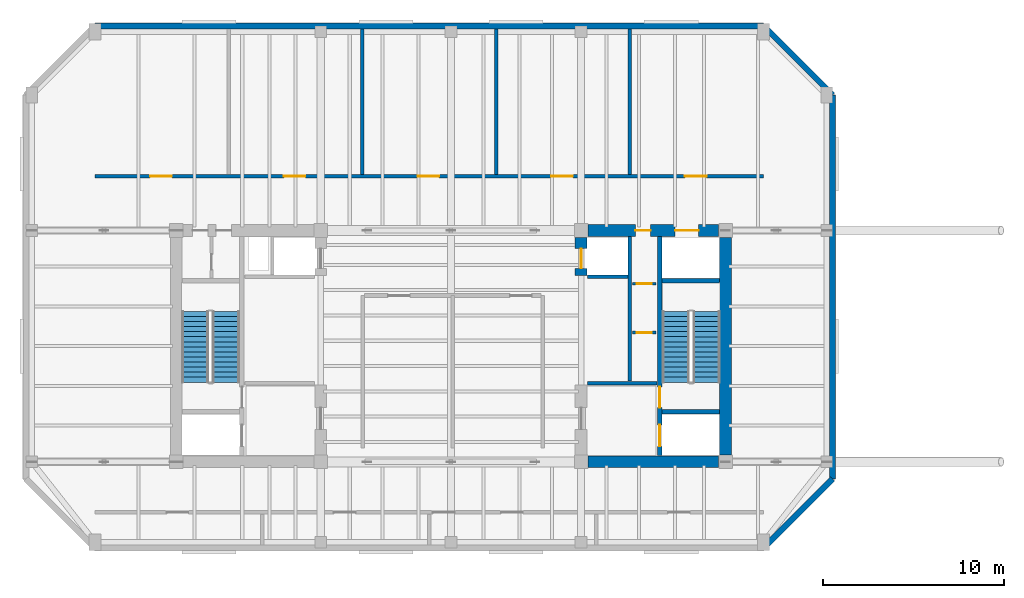
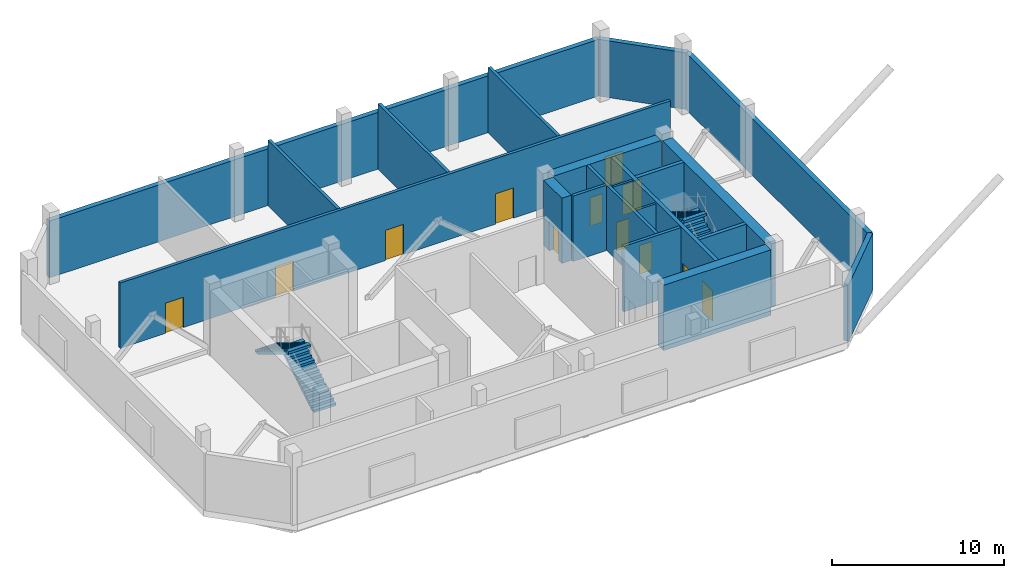
# One storey, part 6 of 9: 20 walls, 12 doors, 4 stair flights, 12 openings, 2 elements without a shape of their own.
"""IFC4 building model written with IfcOpenShell, lengths in metres."""

from ifc_helpers import new_model, si_unit, direction, frame, frame_2d, origin, place, context, subcontext, project, spatial, polyline, rectangle, outline, extrude, material, layer, layer_set, type_object, element, fill, aggregate, save


model = new_model("IFC4")

# Units and contexts
model_context = context("Model", 3, precision=1e-05, world=origin(), true_north=direction((0.0, 1.0)))
body_context = subcontext(model_context, "Body", "Model", "MODEL_VIEW")
ifc_project = project(units=[si_unit("LENGTHUNIT", "METRE"), si_unit("AREAUNIT", "SQUARE_METRE"), si_unit("VOLUMEUNIT", "CUBIC_METRE"), si_unit("PLANEANGLEUNIT", "RADIAN"), si_unit("MASSUNIT", "GRAM", prefix="KILO")], contexts=[model_context])

# Site, building, storey
site_placement = place(None, origin())
site = spatial("IfcSite", under=ifc_project, at=site_placement, CompositionType="ELEMENT")
building_placement = place(site_placement, origin())
building = spatial("IfcBuilding", under=site, at=building_placement, Name="Kranthara Brick Stack", CompositionType="ELEMENT")
storey_placement = place(building_placement, frame((0.0, 0.0, 282.300048828125)))
storey = spatial("IfcBuildingStorey", under=building, at=storey_placement, Name="L75", CompositionType="ELEMENT", Elevation=282.300048828125)

# Walls
ifc_material_1 = material(Name="Warm buff clay brick masonry M15", Category="masonry")
ifc_layer_1 = layer(ifc_material_1, 0.320068359375)
ifc_layer_set_1 = layer_set([ifc_layer_1], Name="Warm buff clay brick masonry M15")
wall_type_1 = type_object("IfcWallType", Name="WL-BRK-UPPR-320", PredefinedType="STANDARD", material=ifc_layer_set_1)
wall_1_placement = place(storey_placement, frame((8.300048828125, 44.919921875, 0.0), z_axis=(0.0, 0.0, 1.0), x_axis=(1.0, 0.0, 0.0)))
element("IfcWall", 1, at=wall_1_placement, inside=storey, type_object=wall_type_1, Name="L75 Exterior Brick Facade Wall NORTH 1", PredefinedType="STANDARD", context=body_context, shape_type="SweptSolid", body=[
    extrude(rectangle(XDim=37.0, YDim=0.320068359375, at=frame_2d((18.5, 0.0))), origin(), (0.0, 0.0, 1.0), 4.034912109375),
])
wall_2_placement = place(storey_placement, frame((45.300048828125, 44.919921875, 0.0), z_axis=(0.0, 0.0, 1.0), x_axis=(0.70712937715, -0.707084184501, 0.0)))
element("IfcWall", 2, at=wall_2_placement, inside=storey, type_object=wall_type_1, Name="L75 Exterior Brick Facade Wall NE 1", PredefinedType="STANDARD", context=body_context, shape_type="SweptSolid", body=[
    extrude(rectangle(XDim=5.402099609375, YDim=0.320068359375, at=frame_2d((2.701171875, 0.0))), origin(), (0.0, 0.0, 1.0), 4.034912109375),
])
wall_3_placement = place(storey_placement, frame((49.1201171875, 41.10009765625, 0.0), z_axis=(0.0, 0.0, 1.0), x_axis=(0.0, -1.0, 0.0)))
element("IfcWall", 3, at=wall_3_placement, inside=storey, type_object=wall_type_1, Name="L75 Exterior Brick Facade Wall EAST 1", PredefinedType="STANDARD", context=body_context, shape_type="SweptSolid", body=[
    extrude(rectangle(XDim=21.25, YDim=0.320068359375, at=frame_2d((10.625, 0.0))), origin(), (0.0, 0.0, 1.0), 4.034912109375),
])
wall_4_placement = place(storey_placement, frame((49.1201171875, 19.85009765625, 0.0), z_axis=(0.0, 0.0, 1.0), x_axis=(-0.707106781187, -0.707106781187, 0.0)))
element("IfcWall", 4, at=wall_4_placement, inside=storey, type_object=wall_type_1, Name="L75 Exterior Brick Facade Wall SE 1", PredefinedType="STANDARD", context=body_context, shape_type="SweptSolid", body=[
    extrude(rectangle(XDim=5.40234375, YDim=0.320068359375, at=frame_2d((2.701171875, 0.0))), origin(), (0.0, 0.0, 1.0), 4.034912109375),
])

# Wall, openings, doors
ifc_material_2 = material(Name="Concrete C50/60", Category="concrete")
ifc_layer_2 = layer(ifc_material_2, 0.25)
ifc_layer_set_2 = layer_set([ifc_layer_2], Name="Concrete C50/60")
wall_type_2 = type_object("IfcWallType", Name="WL-CORE-250", PredefinedType="SHEAR", material=ifc_layer_set_2)
wall_5_placement = place(storey_placement, frame((39.56494140625, 21.135009765625, 0.0), z_axis=(0.0, 0.0, 1.0), x_axis=(0.0, 1.0, 0.0)))
wall_5 = element("IfcWall", 5, at=wall_5_placement, inside=storey, type_object=wall_type_2, Name="L75 East Core Stair Bearing Spine Wall", PredefinedType="SHEAR", context=body_context, shape_type="SweptSolid", body=[
    extrude(rectangle(XDim=12.1298828125, YDim=0.25, at=frame_2d((6.06494140625, 0.0))), origin(), (0.0, 0.0, 1.0), 4.64990234375),
])
opening_1_placement = place(wall_5_placement, frame((0.514892578125, 0.0, 0.0)))
opening_1 = element("IfcOpeningElement", 6, at=opening_1_placement, cuts=wall_5, Name="Opening LD01", PredefinedType="OPENING", context=body_context, shape_type="SweptSolid", body=[
    extrude(rectangle(XDim=1.199951171875, YDim=2.14990234375, at=frame_2d((0.60009765625, 1.074951171875))), frame((0.0, 0.135009765625, 0.0), z_axis=(0.0, -1.0, 0.0), x_axis=(1.0, 0.0, 0.0)), (0.0, 0.0, 1.0), 0.27001953125),
])
opening_2_placement = place(wall_5_placement, frame((2.6650390625, 0.0, 0.0)))
opening_2 = element("IfcOpeningElement", 7, at=opening_2_placement, cuts=wall_5, Name="Opening D05", PredefinedType="OPENING", context=body_context, shape_type="SweptSolid", body=[
    extrude(rectangle(XDim=1.14990234375, YDim=2.14990234375, at=frame_2d((0.574951171875, 1.074951171875))), frame((0.0, 0.135009765625, 0.0), z_axis=(0.0, -1.0, 0.0), x_axis=(1.0, 0.0, 0.0)), (0.0, 0.0, 1.0), 0.27001953125),
])
ifc_material_3 = material(Name="Stainless steel sliding landing door", Category="steel")
door_type_1 = type_object("IfcDoorType", Name="DR-LD-FF1200", OperationType="DOUBLE_DOOR_SLIDING", PredefinedType="DOOR", material=ifc_material_3)
door_1_placement = place(opening_1_placement, origin())
door_1 = element("IfcDoor", 8, at=door_1_placement, inside=storey, type_object=door_type_1, Name="L75 Firefighting Lift FF-02 Landing Door", OperationType="DOUBLE_DOOR_SLIDING", OverallHeight=2.14990234375, OverallWidth=1.199951171875, PredefinedType="DOOR", context=body_context, shape_type="SweptSolid", body=[
    extrude(rectangle(XDim=1.199951171875, YDim=2.14990234375, at=frame_2d((0.60009765625, 1.074951171875))), frame((0.0, 0.02490234375, 0.0), z_axis=(0.0, -1.0, 0.0), x_axis=(1.0, 0.0, 0.0)), (0.0, 0.0, 1.0), 0.050048828125),
])
fill(opening_1, door_1)
ifc_material_4 = material(Name="Solid-core hardwood timber leaf in steel frame", Category="steel")
door_type_2 = type_object("IfcDoorType", Name="DR-ST-1150", OperationType="NOTDEFINED", PredefinedType="DOOR", material=ifc_material_4)
door_2_placement = place(opening_2_placement, origin())
door_2 = element("IfcDoor", 9, at=door_2_placement, inside=storey, type_object=door_type_2, Name="L75 Exit Stair ST02 Door", OperationType="SINGLE_SWING_LEFT", OverallHeight=2.14990234375, OverallWidth=1.14990234375, PredefinedType="DOOR", context=body_context, shape_type="SweptSolid", body=[
    extrude(rectangle(XDim=1.14990234375, YDim=2.14990234375, at=frame_2d((0.574951171875, 1.074951171875))), frame((0.0, 0.02490234375, 0.0), z_axis=(0.0, -1.0, 0.0), x_axis=(1.0, 0.0, 0.0)), (0.0, 0.0, 1.0), 0.050048828125),
])
fill(opening_2, door_2)

# Walls
for number, where, z_axis, x_axis, name in (
    (10, (39.68994140625, 23.570068359375, 0.0), (0.0, 0.0, 1.0), (1.0, 0.0, 0.0), "L75 East Stairwell Bearing Wall EFF"),
    (11, (39.68994140625, 30.830078125, 0.0), (0.0, 0.0, 1.0), (1.0, 0.0, 0.0), "L75 East Stairwell Bearing Wall EST"),
):
    element("IfcWall", number, at=place(storey_placement, frame(where, z_axis=z_axis, x_axis=x_axis)), inside=storey, type_object=wall_type_2, Name=name, PredefinedType="SHEAR", context=body_context, shape_type="SweptSolid", body=[
        extrude(rectangle(XDim=3.175048828125, YDim=0.25, at=frame_2d((1.58740234375, 0.0))), origin(), (0.0, 0.0, 1.0), 4.64990234375),
    ])
ifc_material_5 = material(Name="Concrete C60/75", Category="concrete")
ifc_layer_3 = layer(ifc_material_5, 0.64990234375)
ifc_layer_set_3 = layer_set([ifc_layer_3], Name="Concrete C60/75")
wall_type_3 = type_object("IfcWallType", Name="WL-CORE-650", PredefinedType="SHEAR", material=ifc_layer_set_3)
wall_6_placement = place(storey_placement, frame((43.199951171875, 21.179931640625, 0.0), z_axis=(0.0, 0.0, 1.0), x_axis=(0.0, 1.0, 0.0)))
element("IfcWall", 12, at=wall_6_placement, inside=storey, type_object=wall_type_3, Name="L75 East Core Shear Wall East", PredefinedType="SHEAR", context=body_context, shape_type="SweptSolid", body=[
    extrude(rectangle(XDim=12.0400390625, YDim=0.64990234375, at=frame_2d((6.02001953125, 0.0))), origin(), (0.0, 0.0, 1.0), 4.64990234375),
])
wall_7_placement = place(storey_placement, frame((35.580078125, 20.800048828125, 0.0), z_axis=(0.0, 0.0, 1.0), x_axis=(1.0, 0.0, 0.0)))
element("IfcWall", 13, at=wall_7_placement, inside=storey, type_object=wall_type_3, Name="L75 East Core Shear Wall South", PredefinedType="SHEAR", context=body_context, shape_type="SweptSolid", body=[
    extrude(rectangle(XDim=7.239990234375, YDim=0.64990234375, at=frame_2d((3.6201171875, 0.0))), origin(), (0.0, 0.0, 1.0), 4.64990234375),
])

# Wall, openings, doors
wall_8_placement = place(storey_placement, frame((35.580078125, 33.60009765625, 0.0), z_axis=(0.0, 0.0, 1.0), x_axis=(1.0, 0.0, 0.0)))
wall_8 = element("IfcWall", 14, at=wall_8_placement, inside=storey, type_object=wall_type_3, Name="L75 East Core Shear Wall North", PredefinedType="SHEAR", context=body_context, shape_type="SweptSolid", body=[
    extrude(rectangle(XDim=7.239990234375, YDim=0.64990234375, at=frame_2d((3.6201171875, 0.0))), origin(), (0.0, 0.0, 1.0), 4.64990234375),
])
opening_3_placement = place(wall_8_placement, frame((4.820068359375, 0.0, 0.0)))
opening_3 = element("IfcOpeningElement", 15, at=opening_3_placement, cuts=wall_8, Name="Opening LD03", PredefinedType="OPENING", context=body_context, shape_type="SweptSolid", body=[
    extrude(rectangle(XDim=1.300048828125, YDim=2.14990234375, at=frame_2d((0.64990234375, 1.074951171875))), frame((0.0, 0.3349609375, 0.0), z_axis=(0.0, -1.0, 0.0), x_axis=(1.0, 0.0, 0.0)), (0.0, 0.0, 1.0), 0.669921875),
])
opening_4_placement = place(wall_8_placement, frame((2.6201171875, 0.0, 0.0)))
opening_4 = element("IfcOpeningElement", 16, at=opening_4_placement, cuts=wall_8, Name="Opening D10", PredefinedType="OPENING", context=body_context, shape_type="SweptSolid", body=[
    extrude(rectangle(XDim=0.85009765625, YDim=2.02001953125, at=frame_2d((0.425048828125, 1.010009765625))), frame((0.0, 0.3349609375, 0.0), z_axis=(0.0, -1.0, 0.0), x_axis=(1.0, 0.0, 0.0)), (0.0, 0.0, 1.0), 0.669921875),
])
ifc_material_6 = material(Name="Stainless steel sliding landing door", Category="steel")
door_type_3 = type_object("IfcDoorType", Name="DR-LD-SV1300", OperationType="DOUBLE_DOOR_SLIDING", PredefinedType="DOOR", material=ifc_material_6)
door_3_placement = place(opening_3_placement, origin())
door_3 = element("IfcDoor", 17, at=door_3_placement, inside=storey, type_object=door_type_3, Name="L75 Stretcher Service Lift SV-01 Landing Door", OperationType="DOUBLE_DOOR_SLIDING", OverallHeight=2.14990234375, OverallWidth=1.300048828125, PredefinedType="DOOR", context=body_context, shape_type="SweptSolid", body=[
    extrude(rectangle(XDim=1.300048828125, YDim=2.14990234375, at=frame_2d((0.64990234375, 1.074951171875))), frame((0.0, 0.02490234375, 0.0), z_axis=(0.0, -1.0, 0.0), x_axis=(1.0, 0.0, 0.0)), (0.0, 0.0, 1.0), 0.050048828125),
])
fill(opening_3, door_3)
ifc_material_7 = material(Name="Solid-core hardwood timber leaf in steel frame", Category="steel")
door_type_4 = type_object("IfcDoorType", Name="DR-RSR-850", OperationType="NOTDEFINED", PredefinedType="DOOR", material=ifc_material_7)
door_4_placement = place(opening_4_placement, origin())
door_4 = element("IfcDoor", 18, at=door_4_placement, inside=storey, type_object=door_type_4, Name="L75 East Core Service Room Door", OperationType="SINGLE_SWING_LEFT", OverallHeight=2.02001953125, OverallWidth=0.85009765625, PredefinedType="DOOR", context=body_context, shape_type="SweptSolid", body=[
    extrude(rectangle(XDim=0.85009765625, YDim=2.02001953125, at=frame_2d((0.425048828125, 1.010009765625))), frame((0.0, 0.02490234375, 0.0), z_axis=(0.0, -1.0, 0.0), x_axis=(1.0, 0.0, 0.0)), (0.0, 0.0, 1.0), 0.050048828125),
])
fill(opening_4, door_4)

# Wall, opening, door
wall_9_placement = place(storey_placement, frame((35.199951171875, 31.10009765625, 0.0), z_axis=(0.0, 0.0, 1.0), x_axis=(0.0, 1.0, 0.0)))
wall_9 = element("IfcWall", 19, at=wall_9_placement, inside=storey, type_object=wall_type_3, Name="L75 East Core High-Rise Lift Wall", PredefinedType="SHEAR", context=body_context, shape_type="SweptSolid", body=[
    extrude(rectangle(XDim=2.119873046875, YDim=0.64990234375, at=frame_2d((1.06005859375, 0.0))), origin(), (0.0, 0.0, 1.0), 4.64990234375),
])
opening_5_placement = place(wall_9_placement, frame((0.39990234375, 0.0, 0.0)))
opening_5 = element("IfcOpeningElement", 20, at=opening_5_placement, cuts=wall_9, Name="Opening LD02", PredefinedType="OPENING", context=body_context, shape_type="SweptSolid", body=[
    extrude(rectangle(XDim=1.10009765625, YDim=2.10009765625, at=frame_2d((0.550048828125, 1.050048828125))), frame((0.0, 0.3349609375, 0.0), z_axis=(0.0, -1.0, 0.0), x_axis=(1.0, 0.0, 0.0)), (0.0, 0.0, 1.0), 0.669921875),
])
ifc_material_8 = material(Name="Stainless steel sliding landing door", Category="steel")
door_type_5 = type_object("IfcDoorType", Name="DR-LD-PL1100", OperationType="DOUBLE_DOOR_SLIDING", PredefinedType="DOOR", material=ifc_material_8)
door_5_placement = place(opening_5_placement, origin())
door_5 = element("IfcDoor", 21, at=door_5_placement, inside=storey, type_object=door_type_5, Name="L75 PL-08 Lift Landing Door", OperationType="DOUBLE_DOOR_SLIDING", OverallHeight=2.10009765625, OverallWidth=1.10009765625, PredefinedType="DOOR", context=body_context, shape_type="SweptSolid", body=[
    extrude(rectangle(XDim=1.10009765625, YDim=2.10009765625, at=frame_2d((0.550048828125, 1.050048828125))), frame((0.0, 0.02490234375, 0.0), z_axis=(0.0, -1.0, 0.0), x_axis=(1.0, 0.0, 0.0)), (0.0, 0.0, 1.0), 0.050048828125),
])
fill(opening_5, door_5)

ifc_material_9 = material(Name="Fire-rated gypsum board partition", Category="other")
ifc_layer_4 = layer(ifc_material_9, 0.14990234375)
ifc_layer_set_4 = layer_set([ifc_layer_4], Name="Fire-rated gypsum board partition")
wall_type_4 = type_object("IfcWallType", Name="WL-PART-150", PredefinedType="PARTITIONING", material=ifc_layer_set_4)
wall_10_placement = place(storey_placement, frame((38.050048828125, 27.949951171875, 0.0), z_axis=(0.0, 0.0, 1.0), x_axis=(1.0, 0.0, 0.0)))
wall_10 = element("IfcWall", 22, at=wall_10_placement, inside=storey, type_object=wall_type_4, Name="L75 Interior Partition 002", PredefinedType="PARTITIONING", context=body_context, shape_type="SweptSolid", body=[
    extrude(rectangle(XDim=1.300048828125, YDim=0.14990234375, at=frame_2d((0.64990234375, 0.0))), origin(), (0.0, 0.0, 1.0), 4.64990234375),
])
opening_6_placement = place(wall_10_placement, frame((0.219970703125, 0.0, 0.0)))
opening_6 = element("IfcOpeningElement", 23, at=opening_6_placement, cuts=wall_10, Name="Opening D10", PredefinedType="OPENING", context=body_context, shape_type="SweptSolid", body=[
    extrude(rectangle(XDim=0.85009765625, YDim=2.02001953125, at=frame_2d((0.425048828125, 1.010009765625))), frame((0.0, 0.0849609375, 0.0), z_axis=(0.0, -1.0, 0.0), x_axis=(1.0, 0.0, 0.0)), (0.0, 0.0, 1.0), 0.169921875),
])
door_6_placement = place(opening_6_placement, origin())
door_6 = element("IfcDoor", 24, at=door_6_placement, inside=storey, type_object=door_type_4, Name="L75 Riser Door 1 02", OperationType="SINGLE_SWING_RIGHT", OverallHeight=2.02001953125, OverallWidth=0.85009765625, PredefinedType="DOOR", context=body_context, shape_type="SweptSolid", body=[
    extrude(rectangle(XDim=0.85009765625, YDim=2.02001953125, at=frame_2d((0.425048828125, 1.010009765625))), frame((0.0, 0.02490234375, 0.0), z_axis=(0.0, -1.0, 0.0), x_axis=(1.0, 0.0, 0.0)), (0.0, 0.0, 1.0), 0.050048828125),
])
fill(opening_6, door_6)

wall_11_placement = place(storey_placement, frame((38.050048828125, 30.64990234375, 0.0), z_axis=(0.0, 0.0, 1.0), x_axis=(1.0, 0.0, 0.0)))
wall_11 = element("IfcWall", 25, at=wall_11_placement, inside=storey, type_object=wall_type_4, Name="L75 Interior Partition 003", PredefinedType="PARTITIONING", context=body_context, shape_type="SweptSolid", body=[
    extrude(rectangle(XDim=1.300048828125, YDim=0.14990234375, at=frame_2d((0.64990234375, 0.0))), origin(), (0.0, 0.0, 1.0), 4.64990234375),
])
opening_7_placement = place(wall_11_placement, frame((0.219970703125, 0.0, 0.0)))
opening_7 = element("IfcOpeningElement", 26, at=opening_7_placement, cuts=wall_11, Name="Opening D10", PredefinedType="OPENING", context=body_context, shape_type="SweptSolid", body=[
    extrude(rectangle(XDim=0.85009765625, YDim=2.02001953125, at=frame_2d((0.425048828125, 1.010009765625))), frame((0.0, 0.0849609375, 0.0), z_axis=(0.0, -1.0, 0.0), x_axis=(1.0, 0.0, 0.0)), (0.0, 0.0, 1.0), 0.169921875),
])
door_7_placement = place(opening_7_placement, origin())
door_7 = element("IfcDoor", 27, at=door_7_placement, inside=storey, type_object=door_type_4, Name="L75 Riser Door 2 03", OperationType="SINGLE_SWING_LEFT", OverallHeight=2.02001953125, OverallWidth=0.85009765625, PredefinedType="DOOR", context=body_context, shape_type="SweptSolid", body=[
    extrude(rectangle(XDim=0.85009765625, YDim=2.02001953125, at=frame_2d((0.425048828125, 1.010009765625))), frame((0.0, 0.02490234375, 0.0), z_axis=(0.0, -1.0, 0.0), x_axis=(1.0, 0.0, 0.0)), (0.0, 0.0, 1.0), 0.050048828125),
])
fill(opening_7, door_7)

# Walls
ifc_material_10 = material(Name="Concrete C40/50", Category="concrete")
ifc_layer_5 = layer(ifc_material_10, 0.199951171875)
ifc_layer_set_5 = layer_set([ifc_layer_5], Name="Concrete C40/50")
wall_type_5 = type_object("IfcWallType", Name="WL-PART-200", PredefinedType="SOLIDWALL", material=ifc_layer_set_5)
wall_12_placement = place(storey_placement, frame((35.550048828125, 25.14990234375, 0.0), z_axis=(0.0, 0.0, 1.0), x_axis=(1.0, 0.0, 0.0)))
element("IfcWall", 28, at=wall_12_placement, inside=storey, type_object=wall_type_5, Name="L75 East Core Cross Wall EFL", PredefinedType="SOLIDWALL", context=body_context, shape_type="SweptSolid", body=[
    extrude(rectangle(XDim=3.849853515625, YDim=0.199951171875, at=frame_2d((1.9248046875, 0.0))), origin(), (0.0, 0.0, 1.0), 4.64990234375),
])
wall_13_placement = place(storey_placement, frame((35.550048828125, 31.050048828125, 0.0), z_axis=(0.0, 0.0, 1.0), x_axis=(1.0, 0.0, 0.0)))
element("IfcWall", 29, at=wall_13_placement, inside=storey, type_object=wall_type_5, Name="L75 East Core Cross Wall EE4", PredefinedType="SOLIDWALL", context=body_context, shape_type="SweptSolid", body=[
    extrude(rectangle(XDim=2.25, YDim=0.199951171875, at=frame_2d((1.125, 0.0))), origin(), (0.0, 0.0, 1.0), 4.64990234375),
])
wall_14_placement = place(storey_placement, frame((37.89990234375, 25.27001953125, 0.0), z_axis=(0.0, 0.0, 1.0), x_axis=(0.0, 1.0, 0.0)))
element("IfcWall", 30, at=wall_14_placement, inside=storey, type_object=wall_type_5, Name="L75 East Core Cross Wall ESV", PredefinedType="SOLIDWALL", context=body_context, shape_type="SweptSolid", body=[
    extrude(rectangle(XDim=7.994873046875, YDim=0.199951171875, at=frame_2d((3.99755859375, 0.0))), origin(), (0.0, 0.0, 1.0), 4.64990234375),
])

# Wall, openings, doors
wall_15_placement = place(storey_placement, frame((8.300048828125, 36.60009765625, 0.0), z_axis=(0.0, 0.0, 1.0), x_axis=(1.0, 0.0, 0.0)))
wall_15 = element("IfcWall", 31, at=wall_15_placement, inside=storey, type_object=wall_type_5, Name="L75 Interior Partition 005", PredefinedType="SOLIDWALL", context=body_context, shape_type="SweptSolid", body=[
    extrude(rectangle(XDim=37.0, YDim=0.199951171875, at=frame_2d((18.5, 0.0))), origin(), (0.0, 0.0, 1.0), 4.64990234375),
])
opening_8_placement = place(wall_15_placement, frame((3.050048828125, 0.0, 0.0)))
opening_8 = element("IfcOpeningElement", 32, at=opening_8_placement, cuts=wall_15, Name="Opening D21", PredefinedType="OPENING", context=body_context, shape_type="SweptSolid", body=[
    extrude(rectangle(XDim=1.199951171875, YDim=2.14990234375, at=frame_2d((0.60009765625, 1.074951171875))), frame((0.0, 0.10986328125, 0.0), z_axis=(0.0, -1.0, 0.0), x_axis=(1.0, 0.0, 0.0)), (0.0, 0.0, 1.0), 0.219970703125),
])
opening_9_placement = place(wall_15_placement, frame((10.449951171875, 0.0, 0.0)))
opening_9 = element("IfcOpeningElement", 33, at=opening_9_placement, cuts=wall_15, Name="Opening D21", PredefinedType="OPENING", context=body_context, shape_type="SweptSolid", body=[
    extrude(rectangle(XDim=1.199951171875, YDim=2.14990234375, at=frame_2d((0.60009765625, 1.074951171875))), frame((0.0, 0.10986328125, 0.0), z_axis=(0.0, -1.0, 0.0), x_axis=(1.0, 0.0, 0.0)), (0.0, 0.0, 1.0), 0.219970703125),
])
opening_10_placement = place(wall_15_placement, frame((17.85009765625, 0.0, 0.0)))
opening_10 = element("IfcOpeningElement", 34, at=opening_10_placement, cuts=wall_15, Name="Opening D21", PredefinedType="OPENING", context=body_context, shape_type="SweptSolid", body=[
    extrude(rectangle(XDim=1.199951171875, YDim=2.14990234375, at=frame_2d((0.60009765625, 1.074951171875))), frame((0.0, 0.10986328125, 0.0), z_axis=(0.0, -1.0, 0.0), x_axis=(1.0, 0.0, 0.0)), (0.0, 0.0, 1.0), 0.219970703125),
])
opening_11_placement = place(wall_15_placement, frame((25.25, 0.0, 0.0)))
opening_11 = element("IfcOpeningElement", 35, at=opening_11_placement, cuts=wall_15, Name="Opening D21", PredefinedType="OPENING", context=body_context, shape_type="SweptSolid", body=[
    extrude(rectangle(XDim=1.199951171875, YDim=2.14990234375, at=frame_2d((0.60009765625, 1.074951171875))), frame((0.0, 0.10986328125, 0.0), z_axis=(0.0, -1.0, 0.0), x_axis=(1.0, 0.0, 0.0)), (0.0, 0.0, 1.0), 0.219970703125),
])
opening_12_placement = place(wall_15_placement, frame((32.64990234375, 0.0, 0.0)))
opening_12 = element("IfcOpeningElement", 36, at=opening_12_placement, cuts=wall_15, Name="Opening D21", PredefinedType="OPENING", context=body_context, shape_type="SweptSolid", body=[
    extrude(rectangle(XDim=1.199951171875, YDim=2.14990234375, at=frame_2d((0.60009765625, 1.074951171875))), frame((0.0, 0.10986328125, 0.0), z_axis=(0.0, -1.0, 0.0), x_axis=(1.0, 0.0, 0.0)), (0.0, 0.0, 1.0), 0.219970703125),
])
ifc_material_11 = material(Name="Solid-core hardwood timber leaf in steel frame", Category="steel")
door_type_6 = type_object("IfcDoorType", Name="DR-FD-1200", OperationType="NOTDEFINED", PredefinedType="DOOR", material=ifc_material_11)
door_8_placement = place(opening_8_placement, origin())
door_8 = element("IfcDoor", 37, at=door_8_placement, inside=storey, type_object=door_type_6, Name="L75 North Plant 4 10", OperationType="SINGLE_SWING_RIGHT", OverallHeight=2.14990234375, OverallWidth=1.199951171875, PredefinedType="DOOR", context=body_context, shape_type="SweptSolid", body=[
    extrude(rectangle(XDim=1.199951171875, YDim=2.14990234375, at=frame_2d((0.60009765625, 1.074951171875))), frame((0.0, 0.02490234375, 0.0), z_axis=(0.0, -1.0, 0.0), x_axis=(1.0, 0.0, 0.0)), (0.0, 0.0, 1.0), 0.050048828125),
])
fill(opening_8, door_8)
door_9_placement = place(opening_9_placement, origin())
door_9 = element("IfcDoor", 38, at=door_9_placement, inside=storey, type_object=door_type_6, Name="L75 North Plant 5 11", OperationType="SINGLE_SWING_LEFT", OverallHeight=2.14990234375, OverallWidth=1.199951171875, PredefinedType="DOOR", context=body_context, shape_type="SweptSolid", body=[
    extrude(rectangle(XDim=1.199951171875, YDim=2.14990234375, at=frame_2d((0.60009765625, 1.074951171875))), frame((0.0, 0.02490234375, 0.0), z_axis=(0.0, -1.0, 0.0), x_axis=(1.0, 0.0, 0.0)), (0.0, 0.0, 1.0), 0.050048828125),
])
fill(opening_9, door_9)
door_10_placement = place(opening_10_placement, origin())
door_10 = element("IfcDoor", 39, at=door_10_placement, inside=storey, type_object=door_type_6, Name="L75 North Plant 6 12", OperationType="SINGLE_SWING_RIGHT", OverallHeight=2.14990234375, OverallWidth=1.199951171875, PredefinedType="DOOR", context=body_context, shape_type="SweptSolid", body=[
    extrude(rectangle(XDim=1.199951171875, YDim=2.14990234375, at=frame_2d((0.60009765625, 1.074951171875))), frame((0.0, 0.02490234375, 0.0), z_axis=(0.0, -1.0, 0.0), x_axis=(1.0, 0.0, 0.0)), (0.0, 0.0, 1.0), 0.050048828125),
])
fill(opening_10, door_10)
door_11_placement = place(opening_11_placement, origin())
door_11 = element("IfcDoor", 40, at=door_11_placement, inside=storey, type_object=door_type_6, Name="L75 North Plant 7 13", OperationType="SINGLE_SWING_LEFT", OverallHeight=2.14990234375, OverallWidth=1.199951171875, PredefinedType="DOOR", context=body_context, shape_type="SweptSolid", body=[
    extrude(rectangle(XDim=1.199951171875, YDim=2.14990234375, at=frame_2d((0.60009765625, 1.074951171875))), frame((0.0, 0.02490234375, 0.0), z_axis=(0.0, -1.0, 0.0), x_axis=(1.0, 0.0, 0.0)), (0.0, 0.0, 1.0), 0.050048828125),
])
fill(opening_11, door_11)
door_12_placement = place(opening_12_placement, origin())
door_12 = element("IfcDoor", 41, at=door_12_placement, inside=storey, type_object=door_type_6, Name="L75 North Plant 8 14", OperationType="SINGLE_SWING_RIGHT", OverallHeight=2.14990234375, OverallWidth=1.199951171875, PredefinedType="DOOR", context=body_context, shape_type="SweptSolid", body=[
    extrude(rectangle(XDim=1.199951171875, YDim=2.14990234375, at=frame_2d((0.60009765625, 1.074951171875))), frame((0.0, 0.02490234375, 0.0), z_axis=(0.0, -1.0, 0.0), x_axis=(1.0, 0.0, 0.0)), (0.0, 0.0, 1.0), 0.050048828125),
])
fill(opening_12, door_12)

# Walls
for number, where, z_axis, x_axis, name in (
    (42, (23.10009765625, 36.705078125, 0.0), (0.0, 0.0, 1.0), (0.0, 1.0, 0.0), "L75 Interior Partition 014"),
    (43, (30.5, 36.705078125, 0.0), (0.0, 0.0, 1.0), (0.0, 1.0, 0.0), "L75 Interior Partition 015"),
    (44, (37.89990234375, 36.705078125, 0.0), (0.0, 0.0, 1.0), (0.0, 1.0, 0.0), "L75 Interior Partition 016"),
):
    element("IfcWall", number, at=place(storey_placement, frame(where, z_axis=z_axis, x_axis=x_axis)), inside=storey, type_object=wall_type_5, Name=name, PredefinedType="SOLIDWALL", context=body_context, shape_type="SweptSolid", body=[
        extrude(rectangle(XDim=8.0498046875, YDim=0.199951171875, at=frame_2d((4.02490234375, 0.0))), origin(), (0.0, 0.0, 1.0), 4.64990234375),
    ])

# Stair, stair flights
ifc_material_12 = material(Name="Concrete C45/55", Category="concrete")
stair_type = type_object("IfcStairType", Name="ST-CORE-30R", PredefinedType="HALF_TURN_STAIR", material=ifc_material_12)
stair_1_placement = place(storey_placement, origin())
stair_1 = element("IfcStair", 45, at=stair_1_placement, inside=storey, type_object=stair_type, Name="L75 West Core Protected Exit Stair ST01", PredefinedType="HALF_TURN_STAIR")
ifc_material_13 = material(Name="Concrete C45/55", Category="concrete")
stair_flight_type = type_object("IfcStairFlightType", Name="SFL-RC-30R", PredefinedType="STRAIGHT", material=ifc_material_13)
stair_flight_1_placement = place(storey_placement, frame((15.550048828125, 25.199951171875, 0.0), z_axis=(0.0, 0.0, 1.0), x_axis=(0.0, 1.0, 0.0)))
stair_flight_1 = element("IfcStairFlight", 46, at=stair_flight_1_placement, type_object=stair_flight_type, Name="ST01 flight 1", NumberOfRisers=15, NumberOfTreads=14, PredefinedType="STRAIGHT", RiserHeight=0.17, TreadLength=0.28, context=body_context, shape_type="SweptSolid", body=[
    extrude(outline(polyline([(0.0, 0.0), (0.0, 0.169921875), (0.280029296875, 0.169921875), (0.280029296875, 0.340087890625), (0.56005859375, 0.340087890625), (0.56005859375, 0.510009765625), (0.840087890625, 0.510009765625), (0.840087890625, 0.679931640625), (1.1201171875, 0.679931640625), (1.1201171875, 0.85009765625), (1.39990234375, 0.85009765625), (1.39990234375, 1.02001953125), (1.679931640625, 1.02001953125), (1.679931640625, 1.18994140625), (1.9599609375, 1.18994140625), (1.9599609375, 1.360107421875), (2.239990234375, 1.360107421875), (2.239990234375, 1.530029296875), (2.52001953125, 1.530029296875), (2.52001953125, 1.699951171875), (2.800048828125, 1.699951171875), (2.800048828125, 1.8701171875), (3.080078125, 1.8701171875), (3.080078125, 2.0400390625), (3.360107421875, 2.0400390625), (3.360107421875, 2.2099609375), (3.639892578125, 2.2099609375), (3.639892578125, 2.3798828125), (3.919921875, 2.3798828125), (3.919921875, 2.550048828125), (3.919921875, 2.20458984375), (0.288818359375, 0.0), (0.0, 0.0)])), frame((0.0, 0.75, 0.0), z_axis=(0.0, -1.0, 0.0), x_axis=(1.0, 0.0, 0.0)), (0.0, 0.0, 1.0), 1.5),
])
stair_flight_2_placement = place(storey_placement, frame((13.85009765625, 29.1201171875, 2.550048828125), z_axis=(0.0, 0.0, 1.0), x_axis=(0.0, -1.0, 0.0)))
stair_flight_2 = element("IfcStairFlight", 47, at=stair_flight_2_placement, type_object=stair_flight_type, Name="ST01 flight 2", NumberOfRisers=15, NumberOfTreads=14, PredefinedType="STRAIGHT", RiserHeight=0.17, TreadLength=0.28, context=body_context, shape_type="SweptSolid", body=[
    extrude(outline(polyline([(0.0, 0.0), (0.0, 0.169921875), (0.280029296875, 0.169921875), (0.280029296875, 0.340087890625), (0.56005859375, 0.340087890625), (0.56005859375, 0.510009765625), (0.840087890625, 0.510009765625), (0.840087890625, 0.679931640625), (1.1201171875, 0.679931640625), (1.1201171875, 0.85009765625), (1.39990234375, 0.85009765625), (1.39990234375, 1.02001953125), (1.679931640625, 1.02001953125), (1.679931640625, 1.18994140625), (1.9599609375, 1.18994140625), (1.9599609375, 1.360107421875), (2.239990234375, 1.360107421875), (2.239990234375, 1.530029296875), (2.52001953125, 1.530029296875), (2.52001953125, 1.699951171875), (2.800048828125, 1.699951171875), (2.800048828125, 1.8701171875), (3.080078125, 1.8701171875), (3.080078125, 2.0400390625), (3.360107421875, 2.0400390625), (3.360107421875, 2.2099609375), (3.639892578125, 2.2099609375), (3.639892578125, 2.3798828125), (3.919921875, 2.3798828125), (3.919921875, 2.550048828125), (3.919921875, 2.20458984375), (0.288818359375, 0.0), (0.0, 0.0)])), frame((0.0, 0.75, 0.0), z_axis=(0.0, -1.0, 0.0), x_axis=(1.0, 0.0, 0.0)), (0.0, 0.0, 1.0), 1.5),
])
aggregate(stair_1, [stair_flight_1, stair_flight_2])

stair_2_placement = place(storey_placement, origin())
stair_2 = element("IfcStair", 48, at=stair_2_placement, inside=storey, type_object=stair_type, Name="L75 East Core Protected Exit Stair ST02", PredefinedType="HALF_TURN_STAIR")
stair_flight_3_placement = place(storey_placement, frame((42.14990234375, 25.199951171875, 0.0), z_axis=(0.0, 0.0, 1.0), x_axis=(0.0, 1.0, 0.0)))
stair_flight_3 = element("IfcStairFlight", 49, at=stair_flight_3_placement, type_object=stair_flight_type, Name="ST02 flight 1", NumberOfRisers=15, NumberOfTreads=14, PredefinedType="STRAIGHT", RiserHeight=0.17, TreadLength=0.28, context=body_context, shape_type="SweptSolid", body=[
    extrude(outline(polyline([(0.0, 0.0), (0.0, 0.169921875), (0.280029296875, 0.169921875), (0.280029296875, 0.340087890625), (0.56005859375, 0.340087890625), (0.56005859375, 0.510009765625), (0.840087890625, 0.510009765625), (0.840087890625, 0.679931640625), (1.1201171875, 0.679931640625), (1.1201171875, 0.85009765625), (1.39990234375, 0.85009765625), (1.39990234375, 1.02001953125), (1.679931640625, 1.02001953125), (1.679931640625, 1.18994140625), (1.9599609375, 1.18994140625), (1.9599609375, 1.360107421875), (2.239990234375, 1.360107421875), (2.239990234375, 1.530029296875), (2.52001953125, 1.530029296875), (2.52001953125, 1.699951171875), (2.800048828125, 1.699951171875), (2.800048828125, 1.8701171875), (3.080078125, 1.8701171875), (3.080078125, 2.0400390625), (3.360107421875, 2.0400390625), (3.360107421875, 2.2099609375), (3.639892578125, 2.2099609375), (3.639892578125, 2.3798828125), (3.919921875, 2.3798828125), (3.919921875, 2.550048828125), (3.919921875, 2.20458984375), (0.288818359375, 0.0), (0.0, 0.0)])), frame((0.0, 0.75, 0.0), z_axis=(0.0, -1.0, 0.0), x_axis=(1.0, 0.0, 0.0)), (0.0, 0.0, 1.0), 1.5),
])
stair_flight_4_placement = place(storey_placement, frame((40.449951171875, 29.1201171875, 2.550048828125), z_axis=(0.0, 0.0, 1.0), x_axis=(0.0, -1.0, 0.0)))
stair_flight_4 = element("IfcStairFlight", 50, at=stair_flight_4_placement, type_object=stair_flight_type, Name="ST02 flight 2", NumberOfRisers=15, NumberOfTreads=14, PredefinedType="STRAIGHT", RiserHeight=0.17, TreadLength=0.28, context=body_context, shape_type="SweptSolid", body=[
    extrude(outline(polyline([(0.0, 0.0), (0.0, 0.169921875), (0.280029296875, 0.169921875), (0.280029296875, 0.340087890625), (0.56005859375, 0.340087890625), (0.56005859375, 0.510009765625), (0.840087890625, 0.510009765625), (0.840087890625, 0.679931640625), (1.1201171875, 0.679931640625), (1.1201171875, 0.85009765625), (1.39990234375, 0.85009765625), (1.39990234375, 1.02001953125), (1.679931640625, 1.02001953125), (1.679931640625, 1.18994140625), (1.9599609375, 1.18994140625), (1.9599609375, 1.360107421875), (2.239990234375, 1.360107421875), (2.239990234375, 1.530029296875), (2.52001953125, 1.530029296875), (2.52001953125, 1.699951171875), (2.800048828125, 1.699951171875), (2.800048828125, 1.8701171875), (3.080078125, 1.8701171875), (3.080078125, 2.0400390625), (3.360107421875, 2.0400390625), (3.360107421875, 2.2099609375), (3.639892578125, 2.2099609375), (3.639892578125, 2.3798828125), (3.919921875, 2.3798828125), (3.919921875, 2.550048828125), (3.919921875, 2.20458984375), (0.288818359375, 0.0), (0.0, 0.0)])), frame((0.0, 0.75, 0.0), z_axis=(0.0, -1.0, 0.0), x_axis=(1.0, 0.0, 0.0)), (0.0, 0.0, 1.0), 1.5),
])
aggregate(stair_2, [stair_flight_3, stair_flight_4])

save(model, "model.ifc")
